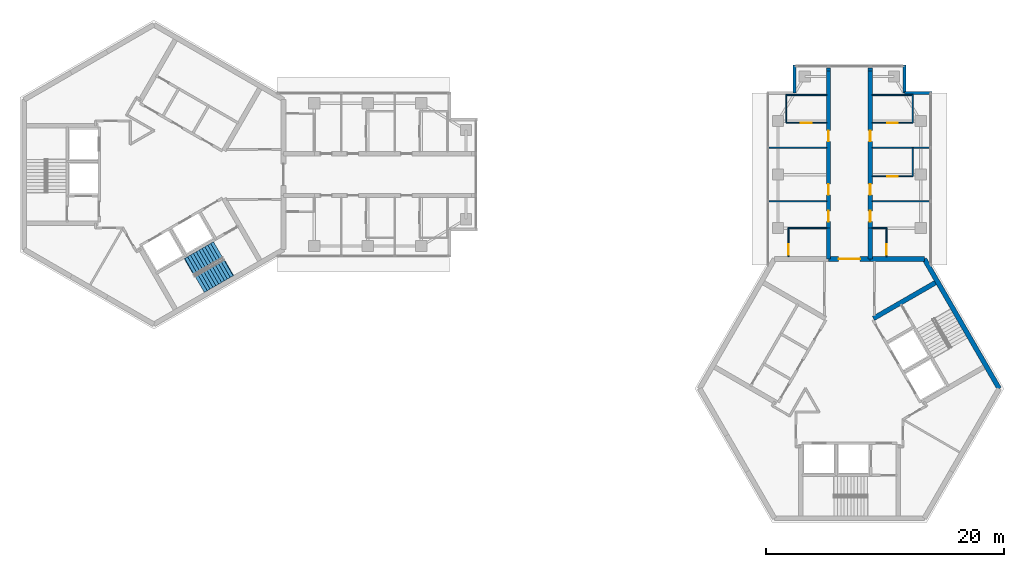
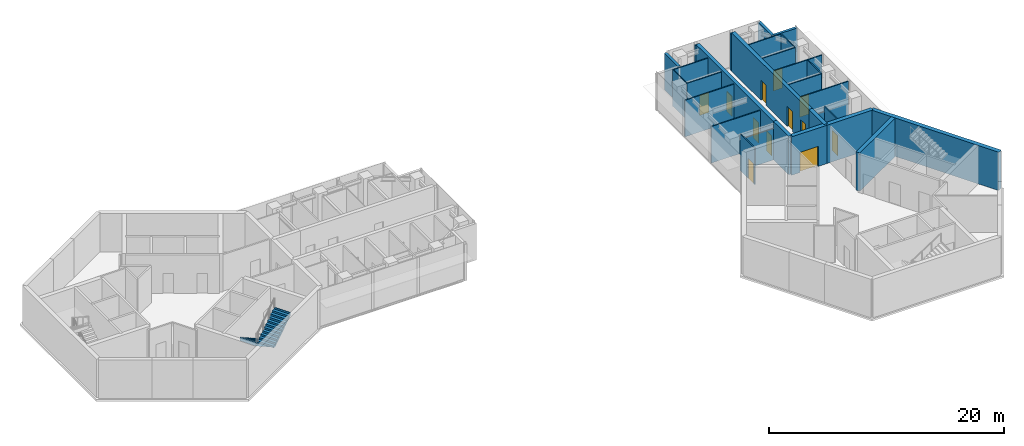
# One storey, part 9 of 11: 29 walls, 12 doors, 2 stair flights, 12 openings, 1 element without a shape of its own.
"""IFC4 building model written with IfcOpenShell, lengths in metres."""

from ifc_helpers import new_model, si_unit, direction, frame, frame_2d, origin, place, context, subcontext, project, spatial, polyline, rectangle, outline, extrude, material, layer, layer_set, type_object, element, fill, aggregate, save


model = new_model("IFC4")

# Units and contexts
model_context = context("Model", 3, precision=1e-05, world=origin(), true_north=direction((0.0, 1.0)))
body_context = subcontext(model_context, "Body", "Model", "MODEL_VIEW")
ifc_project = project(units=[si_unit("LENGTHUNIT", "METRE"), si_unit("AREAUNIT", "SQUARE_METRE"), si_unit("VOLUMEUNIT", "CUBIC_METRE"), si_unit("PLANEANGLEUNIT", "RADIAN"), si_unit("MASSUNIT", "GRAM", prefix="KILO")], contexts=[model_context])

# Site, building, storey
site_placement = place(None, origin())
site = spatial("IfcSite", under=ifc_project, at=site_placement, CompositionType="ELEMENT")
building_placement = place(site_placement, origin())
building = spatial("IfcBuilding", under=site, at=building_placement, Name="Upepo Twin Towers", CompositionType="ELEMENT")
storey_placement = place(building_placement, frame((0.0, 0.0, 283.5)))
storey = spatial("IfcBuildingStorey", under=building, at=storey_placement, Name="L69", CompositionType="ELEMENT", Elevation=283.5)

# Walls
ifc_material_1 = material(Name="Dense concrete blockwork", Category="masonry")
ifc_layer_1 = layer(ifc_material_1, 0.35009765625)
ifc_layer_set_1 = layer_set([ifc_layer_1], Name="Buttress closer 350, blockwork with fire-stopping to the curtain wall")
wall_type_1 = type_object("IfcWallType", Name="Buttress closer 350, blockwork with fire-stopping to the curtain wall", PredefinedType="PARTITIONING", material=ifc_layer_set_1)
for number, where, z_axis, x_axis, name in (
    (1, (56.75, 8.699951171875, 0.0), (0.0, 0.0, 1.0), (0.0, 1.0, 0.0), "T2 L69 wing A buttress closer L"),
    (2, (60.25, 8.699951171875, 0.0), (0.0, 0.0, 1.0), (0.0, 1.0, 0.0), "T2 L69 wing A buttress closer R"),
):
    element("IfcWall", number, at=place(storey_placement, frame(where, z_axis=z_axis, x_axis=x_axis)), inside=storey, type_object=wall_type_1, Name=name, PredefinedType="PARTITIONING", context=body_context, shape_type="SweptSolid", body=[
        extrude(rectangle(XDim=0.275146484375, YDim=0.35009765625, at=frame_2d((0.1376953125, 0.0))), origin(), (0.0, 0.0, 1.0), 3.800048828125),
    ])
ifc_material_2 = material(Name="Concrete C60/75", Category="concrete")
ifc_layer_2 = layer(ifc_material_2, 0.35009765625)
ifc_layer_set_2 = layer_set([ifc_layer_2], Name="Concrete C60/75")
wall_type_2 = type_object("IfcWallType", Name="Buttress wall 350 RC", PredefinedType="SHEAR", material=ifc_layer_set_2)
wall_1_placement = place(storey_placement, frame((56.75, -7.091552734375, 0.0), z_axis=(0.0, 0.0, 1.0), x_axis=(0.0, 1.0, 0.0)))
element("IfcWall", 3, at=wall_1_placement, inside=storey, type_object=wall_type_2, Name="T2 wing A buttress wall L", PredefinedType="SHEAR", context=body_context, shape_type="SweptSolid", body=[
    extrude(rectangle(XDim=2.591552734375, YDim=0.35009765625, at=frame_2d((1.2958984375, 0.0))), origin(), (0.0, 0.0, 1.0), 4.0),
])

# Wall, openings, doors
wall_2_placement = place(storey_placement, frame((56.75, -4.5, 0.0), z_axis=(0.0, 0.0, 1.0), x_axis=(0.0, 1.0, 0.0)))
wall_2 = element("IfcWall", 4, at=wall_2_placement, inside=storey, type_object=wall_type_2, Name="T2 wing A buttress wall L part 2", PredefinedType="SHEAR", context=body_context, shape_type="SweptSolid", body=[
    extrude(rectangle(XDim=13.199951171875, YDim=0.35009765625, at=frame_2d((6.60009765625, 0.0))), origin(), (0.0, 0.0, 1.0), 4.0),
])
opening_1_placement = place(wall_2_placement, frame((0.550048828125, 0.0, 0.0)))
opening_1 = element("IfcOpeningElement", 5, at=opening_1_placement, cuts=wall_2, Name="Opening D11", PredefinedType="OPENING", context=body_context, shape_type="SweptSolid", body=[
    extrude(rectangle(XDim=0.89990234375, YDim=2.10009765625, at=frame_2d((0.449951171875, 1.050048828125))), frame((0.0, 0.18505859375, 0.0), z_axis=(0.0, -1.0, 0.0), x_axis=(1.0, 0.0, 0.0)), (0.0, 0.0, 1.0), 0.3701171875),
])
opening_2_placement = place(wall_2_placement, frame((2.800048828125, 0.0, 0.0)))
opening_2 = element("IfcOpeningElement", 6, at=opening_2_placement, cuts=wall_2, Name="Opening D14", PredefinedType="OPENING", context=body_context, shape_type="SweptSolid", body=[
    extrude(rectangle(XDim=0.89990234375, YDim=2.10009765625, at=frame_2d((0.449951171875, 1.050048828125))), frame((0.0, 0.18505859375, 0.0), z_axis=(0.0, -1.0, 0.0), x_axis=(1.0, 0.0, 0.0)), (0.0, 0.0, 1.0), 0.3701171875),
])
opening_3_placement = place(wall_2_placement, frame((7.300048828125, 0.0, 0.0)))
opening_3 = element("IfcOpeningElement", 7, at=opening_3_placement, cuts=wall_2, Name="Opening D14", PredefinedType="OPENING", context=body_context, shape_type="SweptSolid", body=[
    extrude(rectangle(XDim=0.89990234375, YDim=2.10009765625, at=frame_2d((0.449951171875, 1.050048828125))), frame((0.0, 0.18505859375, 0.0), z_axis=(0.0, -1.0, 0.0), x_axis=(1.0, 0.0, 0.0)), (0.0, 0.0, 1.0), 0.3701171875),
])
ifc_material_3 = material(Name="Timber doorset", Category="wood")
door_type_1 = type_object("IfcDoorType", Name="Office door 900 FD30", OperationType="SINGLE_SWING_LEFT", PredefinedType="DOOR", material=ifc_material_3)
door_1_placement = place(opening_2_placement, origin())
door_1 = element("IfcDoor", 8, at=door_1_placement, inside=storey, type_object=door_type_1, Name="T2 L69 staff office door", OperationType="SINGLE_SWING_LEFT", OverallHeight=2.10009765625, OverallWidth=0.89990234375, PredefinedType="DOOR", context=body_context, shape_type="SweptSolid", body=[
    extrude(rectangle(XDim=0.89990234375, YDim=2.10009765625, at=frame_2d((0.449951171875, 1.050048828125))), frame((0.0, 0.02490234375, 0.0), z_axis=(0.0, -1.0, 0.0), x_axis=(1.0, 0.0, 0.0)), (0.0, 0.0, 1.0), 0.050048828125),
])
fill(opening_2, door_1)
door_2_placement = place(opening_3_placement, origin())
door_2 = element("IfcDoor", 9, at=door_2_placement, inside=storey, type_object=door_type_1, Name="T2 L69 meeting room door", OperationType="SINGLE_SWING_RIGHT", OverallHeight=2.10009765625, OverallWidth=0.89990234375, PredefinedType="DOOR", context=body_context, shape_type="SweptSolid", body=[
    extrude(rectangle(XDim=0.89990234375, YDim=2.10009765625, at=frame_2d((0.449951171875, 1.050048828125))), frame((0.0, 0.02490234375, 0.0), z_axis=(0.0, -1.0, 0.0), x_axis=(1.0, 0.0, 0.0)), (0.0, 0.0, 1.0), 0.050048828125),
])
fill(opening_3, door_2)
ifc_material_4 = material(Name="Timber doorset", Category="wood")
door_type_2 = type_object("IfcDoorType", Name="Toilet door 900", OperationType="SINGLE_SWING_LEFT", PredefinedType="DOOR", material=ifc_material_4)
door_3_placement = place(opening_1_placement, origin())
door_3 = element("IfcDoor", 10, at=door_3_placement, inside=storey, type_object=door_type_2, Name="T2 L69 accessible wc door", OperationType="SINGLE_SWING_LEFT", OverallHeight=2.10009765625, OverallWidth=0.89990234375, PredefinedType="DOOR", context=body_context, shape_type="SweptSolid", body=[
    extrude(rectangle(XDim=0.89990234375, YDim=2.10009765625, at=frame_2d((0.449951171875, 1.050048828125))), frame((0.0, 0.02490234375, 0.0), z_axis=(0.0, -1.0, 0.0), x_axis=(1.0, 0.0, 0.0)), (0.0, 0.0, 1.0), 0.050048828125),
])
fill(opening_1, door_3)

# Wall
wall_3_placement = place(storey_placement, frame((60.25, -7.091552734375, 0.0), z_axis=(0.0, 0.0, 1.0), x_axis=(0.0, 1.0, 0.0)))
element("IfcWall", 11, at=wall_3_placement, inside=storey, type_object=wall_type_2, Name="T2 wing A buttress wall R", PredefinedType="SHEAR", context=body_context, shape_type="SweptSolid", body=[
    extrude(rectangle(XDim=2.591552734375, YDim=0.35009765625, at=frame_2d((1.2958984375, 0.0))), origin(), (0.0, 0.0, 1.0), 4.0),
])

# Wall, openings, doors
wall_4_placement = place(storey_placement, frame((60.25, -4.5, 0.0), z_axis=(0.0, 0.0, 1.0), x_axis=(0.0, 1.0, 0.0)))
wall_4 = element("IfcWall", 12, at=wall_4_placement, inside=storey, type_object=wall_type_2, Name="T2 wing A buttress wall R part 2", PredefinedType="SHEAR", context=body_context, shape_type="SweptSolid", body=[
    extrude(rectangle(XDim=13.199951171875, YDim=0.35009765625, at=frame_2d((6.60009765625, 0.0))), origin(), (0.0, 0.0, 1.0), 4.0),
])
opening_4_placement = place(wall_4_placement, frame((0.550048828125, 0.0, 0.0)))
opening_4 = element("IfcOpeningElement", 13, at=opening_4_placement, cuts=wall_4, Name="Opening D11", PredefinedType="OPENING", context=body_context, shape_type="SweptSolid", body=[
    extrude(rectangle(XDim=0.89990234375, YDim=2.10009765625, at=frame_2d((0.449951171875, 1.050048828125))), frame((0.0, 0.18505859375, 0.0), z_axis=(0.0, -1.0, 0.0), x_axis=(1.0, 0.0, 0.0)), (0.0, 0.0, 1.0), 0.3701171875),
])
opening_5_placement = place(wall_4_placement, frame((2.800048828125, 0.0, 0.0)))
opening_5 = element("IfcOpeningElement", 14, at=opening_5_placement, cuts=wall_4, Name="Opening D14", PredefinedType="OPENING", context=body_context, shape_type="SweptSolid", body=[
    extrude(rectangle(XDim=0.89990234375, YDim=2.10009765625, at=frame_2d((0.449951171875, 1.050048828125))), frame((0.0, 0.18505859375, 0.0), z_axis=(0.0, -1.0, 0.0), x_axis=(1.0, 0.0, 0.0)), (0.0, 0.0, 1.0), 0.3701171875),
])
opening_6_placement = place(wall_4_placement, frame((7.300048828125, 0.0, 0.0)))
opening_6 = element("IfcOpeningElement", 15, at=opening_6_placement, cuts=wall_4, Name="Opening D14", PredefinedType="OPENING", context=body_context, shape_type="SweptSolid", body=[
    extrude(rectangle(XDim=0.89990234375, YDim=2.10009765625, at=frame_2d((0.449951171875, 1.050048828125))), frame((0.0, 0.18505859375, 0.0), z_axis=(0.0, -1.0, 0.0), x_axis=(1.0, 0.0, 0.0)), (0.0, 0.0, 1.0), 0.3701171875),
])
door_4_placement = place(opening_5_placement, origin())
door_4 = element("IfcDoor", 16, at=door_4_placement, inside=storey, type_object=door_type_1, Name="T2 L69 staff office door", OperationType="SINGLE_SWING_LEFT", OverallHeight=2.10009765625, OverallWidth=0.89990234375, PredefinedType="DOOR", context=body_context, shape_type="SweptSolid", body=[
    extrude(rectangle(XDim=0.89990234375, YDim=2.10009765625, at=frame_2d((0.449951171875, 1.050048828125))), frame((0.0, 0.02490234375, 0.0), z_axis=(0.0, -1.0, 0.0), x_axis=(1.0, 0.0, 0.0)), (0.0, 0.0, 1.0), 0.050048828125),
])
fill(opening_5, door_4)
door_5_placement = place(opening_6_placement, origin())
door_5 = element("IfcDoor", 17, at=door_5_placement, inside=storey, type_object=door_type_1, Name="T2 L69 postgraduate office door", OperationType="SINGLE_SWING_RIGHT", OverallHeight=2.10009765625, OverallWidth=0.89990234375, PredefinedType="DOOR", context=body_context, shape_type="SweptSolid", body=[
    extrude(rectangle(XDim=0.89990234375, YDim=2.10009765625, at=frame_2d((0.449951171875, 1.050048828125))), frame((0.0, 0.02490234375, 0.0), z_axis=(0.0, -1.0, 0.0), x_axis=(1.0, 0.0, 0.0)), (0.0, 0.0, 1.0), 0.050048828125),
])
fill(opening_6, door_5)
door_6_placement = place(opening_4_placement, origin())
door_6 = element("IfcDoor", 18, at=door_6_placement, inside=storey, type_object=door_type_2, Name="T2 L69 toilets door", OperationType="SINGLE_SWING_LEFT", OverallHeight=2.10009765625, OverallWidth=0.89990234375, PredefinedType="DOOR", context=body_context, shape_type="SweptSolid", body=[
    extrude(rectangle(XDim=0.89990234375, YDim=2.10009765625, at=frame_2d((0.449951171875, 1.050048828125))), frame((0.0, 0.02490234375, 0.0), z_axis=(0.0, -1.0, 0.0), x_axis=(1.0, 0.0, 0.0)), (0.0, 0.0, 1.0), 0.050048828125),
])
fill(opening_4, door_6)

# Wall
ifc_material_5 = material(Name="Concrete C60/75", Category="concrete")
ifc_layer_3 = layer(ifc_material_5, 0.39990234375)
ifc_layer_set_3 = layer_set([ifc_layer_3], Name="Concrete C60/75")
wall_type_3 = type_object("IfcWallType", Name="Core wall 400 RC", PredefinedType="SHEAR", material=ifc_layer_set_3)
wall_5_placement = place(storey_placement, frame((64.7978515625, -7.091552734375, 0.0), z_axis=(0.0, 0.0, 1.0), x_axis=(-1.0, 0.0, 0.0)))
element("IfcWall", 19, at=wall_5_placement, inside=storey, type_object=wall_type_3, Name="T2 core wall 000 R", PredefinedType="SHEAR", context=body_context, shape_type="SweptSolid", body=[
    extrude(rectangle(XDim=4.5478515625, YDim=0.39990234375, at=frame_2d((2.27392578125, 0.0))), origin(), (0.0, 0.0, 1.0), 4.0),
])

# Wall, opening, door
wall_6_placement = place(storey_placement, frame((60.25, -7.091552734375, 0.0), z_axis=(0.0, 0.0, 1.0), x_axis=(-1.0, 0.0, 0.0)))
wall_6 = element("IfcWall", 20, at=wall_6_placement, inside=storey, type_object=wall_type_3, Name="T2 core wall 000", PredefinedType="SHEAR", context=body_context, shape_type="SweptSolid", body=[
    extrude(rectangle(XDim=3.5, YDim=0.39990234375, at=frame_2d((1.75, 0.0))), origin(), (0.0, 0.0, 1.0), 4.0),
])
opening_7_placement = place(wall_6_placement, frame((0.85009765625, 0.0, 0.0)))
opening_7 = element("IfcOpeningElement", 21, at=opening_7_placement, cuts=wall_6, Name="Opening D2", PredefinedType="OPENING", context=body_context, shape_type="SweptSolid", body=[
    extrude(rectangle(XDim=1.800048828125, YDim=2.10009765625, at=frame_2d((0.89990234375, 1.050048828125))), frame((0.0, 0.2099609375, 0.0), z_axis=(0.0, -1.0, 0.0), x_axis=(1.0, 0.0, 0.0)), (0.0, 0.0, 1.0), 0.419921875),
])
ifc_material_6 = material(Name="Timber doorset", Category="wood")
door_type_3 = type_object("IfcDoorType", Name="Corridor double door 1800 FD60", OperationType="DOUBLE_DOOR_DOUBLE_SWING", PredefinedType="DOOR", material=ifc_material_6)
door_7_placement = place(opening_7_placement, origin())
door_7 = element("IfcDoor", 22, at=door_7_placement, inside=storey, type_object=door_type_3, Name="T2 L69 wing A corridor door", OperationType="DOUBLE_DOOR_DOUBLE_SWING", OverallHeight=2.10009765625, OverallWidth=1.800048828125, PredefinedType="DOOR", context=body_context, shape_type="SweptSolid", body=[
    extrude(rectangle(XDim=1.800048828125, YDim=2.10009765625, at=frame_2d((0.89990234375, 1.050048828125))), frame((0.0, 0.02490234375, 0.0), z_axis=(0.0, -1.0, 0.0), x_axis=(1.0, 0.0, 0.0)), (0.0, 0.0, 1.0), 0.050048828125),
])
fill(opening_7, door_7)

# Walls
wall_7_placement = place(storey_placement, frame((71.095947265625, -18.0, 0.0), z_axis=(0.0, 0.0, 1.0), x_axis=(-0.500005998175, 0.866021940709, 0.0)))
element("IfcWall", 23, at=wall_7_placement, inside=storey, type_object=wall_type_3, Name="T2 core wall 300", PredefinedType="SHEAR", context=body_context, shape_type="SweptSolid", body=[
    extrude(rectangle(XDim=12.595947265625, YDim=0.39990234375, at=frame_2d((6.2978515625, 0.0))), origin(), (0.0, 0.0, 1.0), 4.0),
])
ifc_material_7 = material(Name="Blockwork with anodised aluminium cladding", Category="masonry")
ifc_layer_4 = layer(ifc_material_7, 0.25)
ifc_layer_set_4 = layer_set([ifc_layer_4], Name="Notch cladding wall 250, pale metal")
wall_type_4 = type_object("IfcWallType", Name="Notch cladding wall 250, pale metal", PredefinedType="STANDARD", material=ifc_layer_set_4)
for number, where, z_axis, x_axis, name in (
    (24, (53.875, 6.875, 0.0), (0.0, 0.0, 1.0), (0.0, 1.0, 0.0), "T2 L69 wing A notch wall L2"),
    (25, (65.449951171875, 6.875, 0.0), (0.0, 0.0, 1.0), (-1.0, 0.0, 0.0), "T2 L69 wing A notch wall R1"),
    (26, (63.125, 6.875, 0.0), (0.0, 0.0, 1.0), (0.0, 1.0, 0.0), "T2 L69 wing A notch wall R2"),
):
    element("IfcWall", number, at=place(storey_placement, frame(where, z_axis=z_axis, x_axis=x_axis)), inside=storey, type_object=wall_type_4, Name=name, PredefinedType="STANDARD", context=body_context, shape_type="SweptSolid", body=[
        extrude(rectangle(XDim=2.324951171875, YDim=0.25, at=frame_2d((1.16259765625, 0.0))), origin(), (0.0, 0.0, 1.0), 3.800048828125),
    ])
ifc_material_8 = material(Name="Gypsum board on steel studs", Category="steel")
ifc_layer_5 = layer(ifc_material_8, 0.10009765625)
ifc_layer_set_5 = layer_set([ifc_layer_5], Name="Office partition 100 stud")
wall_type_5 = type_object("IfcWallType", Name="Office partition 100 stud", PredefinedType="PARTITIONING", material=ifc_layer_set_5)
for number, where, z_axis, x_axis, name in (
    (27, (56.574951171875, -2.25, 0.0), (0.0, 0.0, 1.0), (-1.0, 0.0, 0.0), "T2 partition AL at 15.75"),
    (28, (56.574951171875, 2.25, 0.0), (0.0, 0.0, 1.0), (-1.0, 0.0, 0.0), "T2 partition AL at 20.25"),
):
    element("IfcWall", number, at=place(storey_placement, frame(where, z_axis=z_axis, x_axis=x_axis)), inside=storey, type_object=wall_type_5, Name=name, PredefinedType="PARTITIONING", context=body_context, shape_type="SweptSolid", body=[
        extrude(rectangle(XDim=4.824951171875, YDim=0.10009765625, at=frame_2d((2.41259765625, 0.0))), origin(), (0.0, 0.0, 1.0), 3.800048828125),
    ])
wall_8_placement = place(storey_placement, frame((53.175048828125, 4.35009765625, 0.0), z_axis=(0.0, 0.0, 1.0), x_axis=(0.0, 1.0, 0.0)))
element("IfcWall", 29, at=wall_8_placement, inside=storey, type_object=wall_type_5, Name="T2 inner room partition AL at 22.35", PredefinedType="PARTITIONING", context=body_context, shape_type="SweptSolid", body=[
    extrude(rectangle(XDim=2.39990234375, YDim=0.10009765625, at=frame_2d((1.199951171875, 0.0))), origin(), (0.0, 0.0, 1.0), 3.800048828125),
])

# Wall, opening, door
wall_9_placement = place(storey_placement, frame((56.574951171875, 4.35009765625, 0.0), z_axis=(0.0, 0.0, 1.0), x_axis=(-1.0, 0.0, 0.0)))
wall_9 = element("IfcWall", 30, at=wall_9_placement, inside=storey, type_object=wall_type_5, Name="T2 inner room partition AL end at 22.35", PredefinedType="PARTITIONING", context=body_context, shape_type="SweptSolid", body=[
    extrude(rectangle(XDim=3.39990234375, YDim=0.10009765625, at=frame_2d((1.699951171875, 0.0))), origin(), (0.0, 0.0, 1.0), 3.800048828125),
])
opening_8_placement = place(wall_9_placement, frame((1.25, 0.0, 0.0)))
opening_8 = element("IfcOpeningElement", 31, at=opening_8_placement, cuts=wall_9, Name="Opening D14", PredefinedType="OPENING", context=body_context, shape_type="SweptSolid", body=[
    extrude(rectangle(XDim=0.89990234375, YDim=2.10009765625, at=frame_2d((0.449951171875, 1.050048828125))), frame((0.0, 0.06005859375, 0.0), z_axis=(0.0, -1.0, 0.0), x_axis=(1.0, 0.0, 0.0)), (0.0, 0.0, 1.0), 0.1201171875),
])
door_8_placement = place(opening_8_placement, origin())
door_8 = element("IfcDoor", 32, at=door_8_placement, inside=storey, type_object=door_type_1, Name="T2 L69 inner room door", OperationType="SINGLE_SWING_LEFT", OverallHeight=2.10009765625, OverallWidth=0.89990234375, PredefinedType="DOOR", context=body_context, shape_type="SweptSolid", body=[
    extrude(rectangle(XDim=0.89990234375, YDim=2.10009765625, at=frame_2d((0.449951171875, 1.050048828125))), frame((0.0, 0.02490234375, 0.0), z_axis=(0.0, -1.0, 0.0), x_axis=(1.0, 0.0, 0.0)), (0.0, 0.0, 1.0), 0.050048828125),
])
fill(opening_8, door_8)

# Wall
wall_10_placement = place(storey_placement, frame((56.574951171875, 6.699951171875, 0.0), z_axis=(0.0, 0.0, 1.0), x_axis=(-1.0, 0.0, 0.0)))
element("IfcWall", 33, at=wall_10_placement, inside=storey, type_object=wall_type_5, Name="T2 inner room partition AL end at 24.75", PredefinedType="PARTITIONING", context=body_context, shape_type="SweptSolid", body=[
    extrude(rectangle(XDim=3.39990234375, YDim=0.10009765625, at=frame_2d((1.699951171875, 0.0))), origin(), (0.0, 0.0, 1.0), 3.800048828125),
])

# Wall, opening, door
wall_11_placement = place(storey_placement, frame((53.375, -6.89208984375, 0.0), z_axis=(0.0, 0.0, 1.0), x_axis=(0.0, 1.0, 0.0)))
wall_11 = element("IfcWall", 34, at=wall_11_placement, inside=storey, type_object=wall_type_5, Name="T2 WC bay partition AL at 11.11", PredefinedType="PARTITIONING", context=body_context, shape_type="SweptSolid", body=[
    extrude(rectangle(XDim=2.400146484375, YDim=0.10009765625, at=frame_2d((1.2001953125, 0.0))), origin(), (0.0, 0.0, 1.0), 3.800048828125),
])
opening_9_placement = place(wall_11_placement, frame((0.14990234375, 0.0, 0.0)))
opening_9 = element("IfcOpeningElement", 35, at=opening_9_placement, cuts=wall_11, Name="Opening D14", PredefinedType="OPENING", context=body_context, shape_type="SweptSolid", body=[
    extrude(rectangle(XDim=0.89990234375, YDim=2.10009765625, at=frame_2d((0.449951171875, 1.050048828125))), frame((0.0, 0.06005859375, 0.0), z_axis=(0.0, -1.0, 0.0), x_axis=(1.0, 0.0, 0.0)), (0.0, 0.0, 1.0), 0.1201171875),
])
door_9_placement = place(opening_9_placement, origin())
door_9 = element("IfcDoor", 36, at=door_9_placement, inside=storey, type_object=door_type_1, Name="T2 L69 WC bay inner room door", OperationType="SINGLE_SWING_LEFT", OverallHeight=2.10009765625, OverallWidth=0.89990234375, PredefinedType="DOOR", context=body_context, shape_type="SweptSolid", body=[
    extrude(rectangle(XDim=0.89990234375, YDim=2.10009765625, at=frame_2d((0.449951171875, 1.050048828125))), frame((0.0, 0.02490234375, 0.0), z_axis=(0.0, -1.0, 0.0), x_axis=(1.0, 0.0, 0.0)), (0.0, 0.0, 1.0), 0.050048828125),
])
fill(opening_9, door_9)

# Walls
wall_12_placement = place(storey_placement, frame((56.574951171875, -4.491943359375, 0.0), z_axis=(0.0, 0.0, 1.0), x_axis=(-1.0, 0.0, 0.0)))
element("IfcWall", 37, at=wall_12_placement, inside=storey, type_object=wall_type_5, Name="T2 WC bay partition AL end at 13.51", PredefinedType="PARTITIONING", context=body_context, shape_type="SweptSolid", body=[
    extrude(rectangle(XDim=3.199951171875, YDim=0.10009765625, at=frame_2d((1.60009765625, 0.0))), origin(), (0.0, 0.0, 1.0), 3.266845703125),
])
for number, where, z_axis, x_axis, name in (
    (38, (60.425048828125, -2.25, 0.0), (0.0, 0.0, 1.0), (1.0, 0.0, 0.0), "T2 partition AR at 15.75"),
    (39, (60.425048828125, 2.25, 0.0), (0.0, 0.0, 1.0), (1.0, 0.0, 0.0), "T2 partition AR at 20.25"),
):
    element("IfcWall", number, at=place(storey_placement, frame(where, z_axis=z_axis, x_axis=x_axis)), inside=storey, type_object=wall_type_5, Name=name, PredefinedType="PARTITIONING", context=body_context, shape_type="SweptSolid", body=[
        extrude(rectangle(XDim=4.824951171875, YDim=0.10009765625, at=frame_2d((2.41259765625, 0.0))), origin(), (0.0, 0.0, 1.0), 3.800048828125),
    ])
wall_13_placement = place(storey_placement, frame((63.824951171875, -0.14990234375, 0.0), z_axis=(0.0, 0.0, 1.0), x_axis=(0.0, 1.0, 0.0)))
element("IfcWall", 40, at=wall_13_placement, inside=storey, type_object=wall_type_5, Name="T2 inner room partition AR at 17.85", PredefinedType="PARTITIONING", context=body_context, shape_type="SweptSolid", body=[
    extrude(rectangle(XDim=2.39990234375, YDim=0.10009765625, at=frame_2d((1.199951171875, 0.0))), origin(), (0.0, 0.0, 1.0), 3.800048828125),
])

# Wall, opening, door
wall_14_placement = place(storey_placement, frame((60.425048828125, -0.14990234375, 0.0), z_axis=(0.0, 0.0, 1.0), x_axis=(1.0, 0.0, 0.0)))
wall_14 = element("IfcWall", 41, at=wall_14_placement, inside=storey, type_object=wall_type_5, Name="T2 inner room partition AR end at 17.85", PredefinedType="PARTITIONING", context=body_context, shape_type="SweptSolid", body=[
    extrude(rectangle(XDim=3.39990234375, YDim=0.10009765625, at=frame_2d((1.699951171875, 0.0))), origin(), (0.0, 0.0, 1.0), 3.800048828125),
])
opening_10_placement = place(wall_14_placement, frame((1.25, 0.0, 0.0)))
opening_10 = element("IfcOpeningElement", 42, at=opening_10_placement, cuts=wall_14, Name="Opening D14", PredefinedType="OPENING", context=body_context, shape_type="SweptSolid", body=[
    extrude(rectangle(XDim=0.89990234375, YDim=2.10009765625, at=frame_2d((0.449951171875, 1.050048828125))), frame((0.0, 0.06005859375, 0.0), z_axis=(0.0, -1.0, 0.0), x_axis=(1.0, 0.0, 0.0)), (0.0, 0.0, 1.0), 0.1201171875),
])
door_10_placement = place(opening_10_placement, origin())
door_10 = element("IfcDoor", 43, at=door_10_placement, inside=storey, type_object=door_type_1, Name="T2 L69 inner room door", OperationType="SINGLE_SWING_LEFT", OverallHeight=2.10009765625, OverallWidth=0.89990234375, PredefinedType="DOOR", context=body_context, shape_type="SweptSolid", body=[
    extrude(rectangle(XDim=0.89990234375, YDim=2.10009765625, at=frame_2d((0.449951171875, 1.050048828125))), frame((0.0, 0.02490234375, 0.0), z_axis=(0.0, -1.0, 0.0), x_axis=(1.0, 0.0, 0.0)), (0.0, 0.0, 1.0), 0.050048828125),
])
fill(opening_10, door_10)

# Wall
wall_15_placement = place(storey_placement, frame((63.824951171875, 4.35009765625, 0.0), z_axis=(0.0, 0.0, 1.0), x_axis=(0.0, 1.0, 0.0)))
element("IfcWall", 44, at=wall_15_placement, inside=storey, type_object=wall_type_5, Name="T2 inner room partition AR at 22.35", PredefinedType="PARTITIONING", context=body_context, shape_type="SweptSolid", body=[
    extrude(rectangle(XDim=2.39990234375, YDim=0.10009765625, at=frame_2d((1.199951171875, 0.0))), origin(), (0.0, 0.0, 1.0), 3.800048828125),
])

# Wall, opening, door
wall_16_placement = place(storey_placement, frame((60.425048828125, 4.35009765625, 0.0), z_axis=(0.0, 0.0, 1.0), x_axis=(1.0, 0.0, 0.0)))
wall_16 = element("IfcWall", 45, at=wall_16_placement, inside=storey, type_object=wall_type_5, Name="T2 inner room partition AR end at 22.35", PredefinedType="PARTITIONING", context=body_context, shape_type="SweptSolid", body=[
    extrude(rectangle(XDim=3.39990234375, YDim=0.10009765625, at=frame_2d((1.699951171875, 0.0))), origin(), (0.0, 0.0, 1.0), 3.800048828125),
])
opening_11_placement = place(wall_16_placement, frame((1.25, 0.0, 0.0)))
opening_11 = element("IfcOpeningElement", 46, at=opening_11_placement, cuts=wall_16, Name="Opening D14", PredefinedType="OPENING", context=body_context, shape_type="SweptSolid", body=[
    extrude(rectangle(XDim=0.89990234375, YDim=2.10009765625, at=frame_2d((0.449951171875, 1.050048828125))), frame((0.0, 0.06005859375, 0.0), z_axis=(0.0, -1.0, 0.0), x_axis=(1.0, 0.0, 0.0)), (0.0, 0.0, 1.0), 0.1201171875),
])
door_11_placement = place(opening_11_placement, origin())
door_11 = element("IfcDoor", 47, at=door_11_placement, inside=storey, type_object=door_type_1, Name="T2 L69 inner room door", OperationType="SINGLE_SWING_LEFT", OverallHeight=2.10009765625, OverallWidth=0.89990234375, PredefinedType="DOOR", context=body_context, shape_type="SweptSolid", body=[
    extrude(rectangle(XDim=0.89990234375, YDim=2.10009765625, at=frame_2d((0.449951171875, 1.050048828125))), frame((0.0, 0.02490234375, 0.0), z_axis=(0.0, -1.0, 0.0), x_axis=(1.0, 0.0, 0.0)), (0.0, 0.0, 1.0), 0.050048828125),
])
fill(opening_11, door_11)

# Wall
wall_17_placement = place(storey_placement, frame((60.425048828125, 6.699951171875, 0.0), z_axis=(0.0, 0.0, 1.0), x_axis=(1.0, 0.0, 0.0)))
element("IfcWall", 48, at=wall_17_placement, inside=storey, type_object=wall_type_5, Name="T2 inner room partition AR end at 24.75", PredefinedType="PARTITIONING", context=body_context, shape_type="SweptSolid", body=[
    extrude(rectangle(XDim=3.39990234375, YDim=0.10009765625, at=frame_2d((1.699951171875, 0.0))), origin(), (0.0, 0.0, 1.0), 3.800048828125),
])

# Wall, opening, door
wall_18_placement = place(storey_placement, frame((61.625, -6.89208984375, 0.0), z_axis=(0.0, 0.0, 1.0), x_axis=(0.0, 1.0, 0.0)))
wall_18 = element("IfcWall", 49, at=wall_18_placement, inside=storey, type_object=wall_type_5, Name="T2 WC bay partition AR at 11.11", PredefinedType="PARTITIONING", context=body_context, shape_type="SweptSolid", body=[
    extrude(rectangle(XDim=2.400146484375, YDim=0.10009765625, at=frame_2d((1.2001953125, 0.0))), origin(), (0.0, 0.0, 1.0), 3.800048828125),
])
opening_12_placement = place(wall_18_placement, frame((0.14990234375, 0.0, 0.0)))
opening_12 = element("IfcOpeningElement", 50, at=opening_12_placement, cuts=wall_18, Name="Opening D14", PredefinedType="OPENING", context=body_context, shape_type="SweptSolid", body=[
    extrude(rectangle(XDim=0.89990234375, YDim=2.10009765625, at=frame_2d((0.449951171875, 1.050048828125))), frame((0.0, 0.06005859375, 0.0), z_axis=(0.0, -1.0, 0.0), x_axis=(1.0, 0.0, 0.0)), (0.0, 0.0, 1.0), 0.1201171875),
])
door_12_placement = place(opening_12_placement, origin())
door_12 = element("IfcDoor", 51, at=door_12_placement, inside=storey, type_object=door_type_1, Name="T2 L69 WC bay inner room door", OperationType="SINGLE_SWING_LEFT", OverallHeight=2.10009765625, OverallWidth=0.89990234375, PredefinedType="DOOR", context=body_context, shape_type="SweptSolid", body=[
    extrude(rectangle(XDim=0.89990234375, YDim=2.10009765625, at=frame_2d((0.449951171875, 1.050048828125))), frame((0.0, 0.02490234375, 0.0), z_axis=(0.0, -1.0, 0.0), x_axis=(1.0, 0.0, 0.0)), (0.0, 0.0, 1.0), 0.050048828125),
])
fill(opening_12, door_12)

# Walls
wall_19_placement = place(storey_placement, frame((60.425048828125, -4.491943359375, 0.0), z_axis=(0.0, 0.0, 1.0), x_axis=(1.0, 0.0, 0.0)))
element("IfcWall", 52, at=wall_19_placement, inside=storey, type_object=wall_type_5, Name="T2 WC bay partition AR end at 13.51", PredefinedType="PARTITIONING", context=body_context, shape_type="SweptSolid", body=[
    extrude(rectangle(XDim=1.199951171875, YDim=0.10009765625, at=frame_2d((0.60009765625, 0.0))), origin(), (0.0, 0.0, 1.0), 3.266845703125),
])
ifc_material_9 = material(Name="Concrete C40/50", Category="concrete")
ifc_layer_6 = layer(ifc_material_9, 0.39990234375)
ifc_layer_set_6 = layer_set([ifc_layer_6], Name="Concrete C40/50")
wall_type_6 = type_object("IfcWallType", Name="Shaft wall 400 RC", PredefinedType="SHEAR", material=ifc_layer_set_6)
wall_20_placement = place(storey_placement, frame((60.520263671875, -12.099365234375, 0.0), z_axis=(0.0, 0.0, 1.0), x_axis=(0.866026570101, 0.499997979876, 0.0)))
element("IfcWall", 53, at=wall_20_placement, inside=storey, type_object=wall_type_6, Name="T2 core W300 side wall N", PredefinedType="SHEAR", context=body_context, shape_type="SweptSolid", body=[
    extrude(rectangle(XDim=6.00830078125, YDim=0.39990234375, at=frame_2d((3.004150390625, 0.0))), origin(), (0.0, 0.0, 1.0), 4.0),
])

# Stair, stair flights
ifc_material_10 = material(Name="Concrete C40/50", Category="concrete")
stair_type = type_object("IfcStairType", Name="Core stair, two flights", PredefinedType="HALF_TURN_STAIR", material=ifc_material_10)
stair_placement = place(storey_placement, origin())
stair = element("IfcStair", 54, at=stair_placement, inside=storey, type_object=stair_type, Name="T1 stair S2 L69", PredefinedType="HALF_TURN_STAIR")
ifc_material_11 = material(Name="Concrete C40/50", Category="concrete")
stair_flight_type = type_object("IfcStairFlightType", Name="Stair flight 1600 RC", PredefinedType="STRAIGHT", material=ifc_material_11)
stair_flight_1_placement = place(storey_placement, frame((5.416259765625, -6.34130859375, 0.0), z_axis=(0.0, 0.0, 1.0), x_axis=(-0.866025403784, -0.5, 0.0)))
stair_flight_1 = element("IfcStairFlight", 55, at=stair_flight_1_placement, type_object=stair_flight_type, Name="Stair S2 flight 1", NumberOfRisers=11, NumberOfTreads=10, PredefinedType="STRAIGHT", RiserHeight=0.181818182, TreadLength=0.28, context=body_context, shape_type="SweptSolid", body=[
    extrude(outline(polyline([(0.0, 0.0), (0.0, 0.181884765625), (0.280029296875, 0.181884765625), (0.280029296875, 0.363525390625), (0.56005859375, 0.363525390625), (0.56005859375, 0.54541015625), (0.840087890625, 0.54541015625), (0.840087890625, 0.727294921875), (1.1201171875, 0.727294921875), (1.1201171875, 0.9091796875), (1.39990234375, 0.9091796875), (1.39990234375, 1.0908203125), (1.679931640625, 1.0908203125), (1.679931640625, 1.272705078125), (1.9599609375, 1.272705078125), (1.9599609375, 1.45458984375), (2.239990234375, 1.45458984375), (2.239990234375, 1.636474609375), (2.52001953125, 1.636474609375), (2.52001953125, 1.818115234375), (2.800048828125, 1.818115234375), (2.800048828125, 2.0), (2.85009765625, 2.0), (2.85009765625, 1.639404296875), (0.3251953125, 0.0), (0.0, 0.0)])), frame((0.0, 0.800048828125, 0.0), z_axis=(0.0, -1.0, 0.0), x_axis=(1.0, 0.0, 0.0)), (0.0, 0.0, 1.0), 1.60009765625),
])
stair_flight_2_placement = place(storey_placement, frame((3.845703125, -9.220947265625, 2.0), z_axis=(0.0, 0.0, 1.0), x_axis=(0.866025403784, 0.5, 0.0)))
stair_flight_2 = element("IfcStairFlight", 56, at=stair_flight_2_placement, type_object=stair_flight_type, Name="Stair S2 flight 2", NumberOfRisers=11, NumberOfTreads=10, PredefinedType="STRAIGHT", RiserHeight=0.181818182, TreadLength=0.28, context=body_context, shape_type="SweptSolid", body=[
    extrude(outline(polyline([(0.0, 0.0), (0.0, 0.181884765625), (0.280029296875, 0.181884765625), (0.280029296875, 0.363525390625), (0.56005859375, 0.363525390625), (0.56005859375, 0.54541015625), (0.840087890625, 0.54541015625), (0.840087890625, 0.727294921875), (1.1201171875, 0.727294921875), (1.1201171875, 0.9091796875), (1.39990234375, 0.9091796875), (1.39990234375, 1.0908203125), (1.679931640625, 1.0908203125), (1.679931640625, 1.272705078125), (1.9599609375, 1.272705078125), (1.9599609375, 1.45458984375), (2.239990234375, 1.45458984375), (2.239990234375, 1.636474609375), (2.52001953125, 1.636474609375), (2.52001953125, 1.818115234375), (2.800048828125, 1.818115234375), (2.800048828125, 2.0), (2.85009765625, 2.0), (2.85009765625, 1.639404296875), (0.3251953125, 0.0), (0.0, 0.0)])), frame((0.0, 0.800048828125, 0.0), z_axis=(0.0, -1.0, 0.0), x_axis=(1.0, 0.0, 0.0)), (0.0, 0.0, 1.0), 1.60009765625),
])
aggregate(stair, [stair_flight_1, stair_flight_2])

save(model, "model.ifc")
